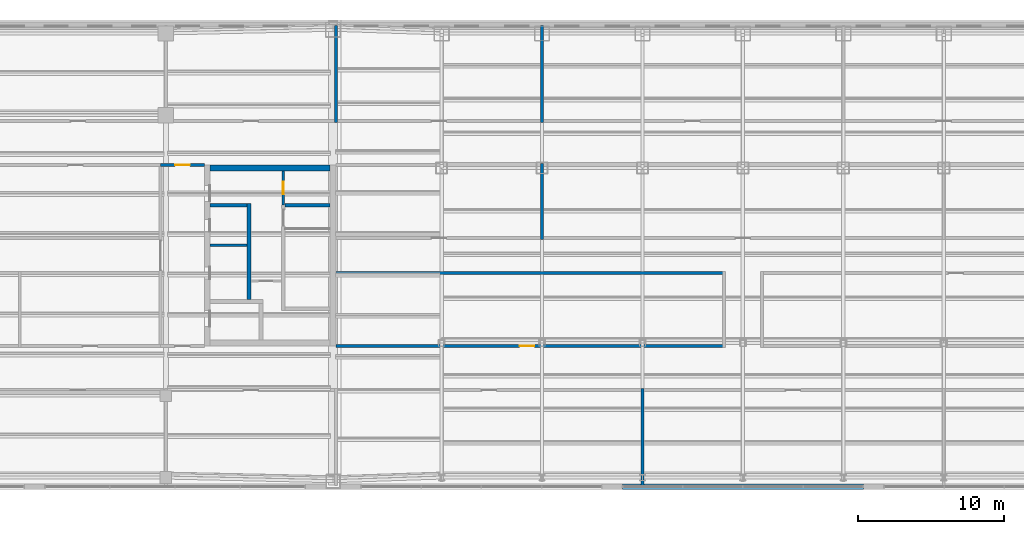
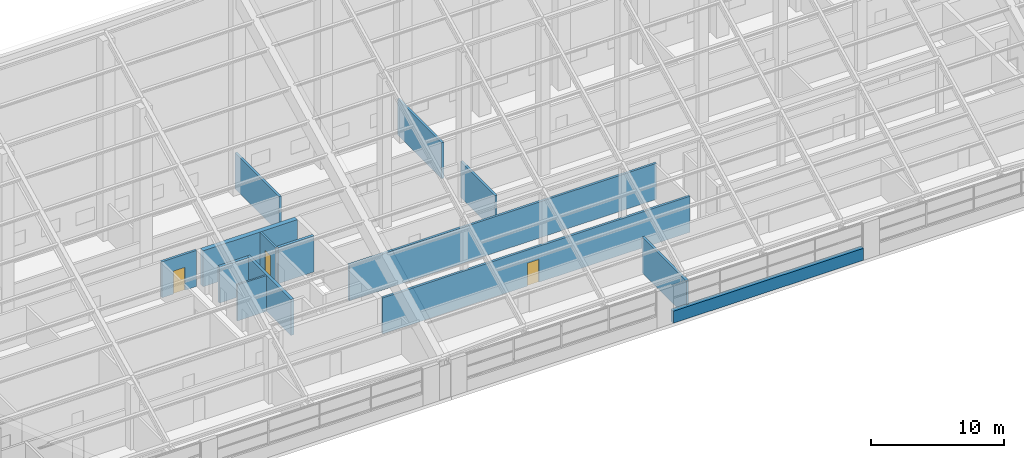
# One storey, part 21 of 28: 14 walls, 3 doors, 3 openings.
"""IFC4 building model written with IfcOpenShell, lengths in metres."""

from ifc_helpers import new_model, si_unit, direction, frame, frame_2d, origin, place, context, subcontext, project, spatial, rectangle, extrude, material, layer, layer_set, type_object, element, fill, save


model = new_model("IFC4")

# Units and contexts
model_context = context("Model", 3, precision=1e-05, world=origin(), true_north=direction((0.0, 1.0)))
body_context = subcontext(model_context, "Body", "Model", "MODEL_VIEW")
ifc_project = project(units=[si_unit("LENGTHUNIT", "METRE"), si_unit("AREAUNIT", "SQUARE_METRE"), si_unit("VOLUMEUNIT", "CUBIC_METRE"), si_unit("PLANEANGLEUNIT", "RADIAN"), si_unit("MASSUNIT", "GRAM", prefix="KILO")], contexts=[model_context])

# Site, building, storey
site_placement = place(None, origin())
site = spatial("IfcSite", under=ifc_project, at=site_placement, CompositionType="ELEMENT")
building_placement = place(site_placement, origin())
building = spatial("IfcBuilding", under=site, at=building_placement, Name="Tuart Gate Housing", CompositionType="ELEMENT")
storey_placement = place(building_placement, frame((0.0, 0.0, 243.89990234375)))
storey = spatial("IfcBuildingStorey", under=building, at=storey_placement, Name="L68", CompositionType="ELEMENT", Elevation=243.89990234375)

# Walls
ifc_material_1 = material(Name="Brick", Category="masonry")
ifc_layer_1 = layer(ifc_material_1, 0.360107421875)
ifc_layer_set_1 = layer_set([ifc_layer_1], Name="Brick pier and spandrel wall 360")
wall_type_1 = type_object("IfcWallType", Name="Brick pier and spandrel wall 360", PredefinedType="STANDARD", material=ifc_layer_set_1)
wall_1_placement = place(storey_placement, frame((95.25, 54.179931640625, 0.0), z_axis=(0.0, 0.0, 1.0), x_axis=(1.0, 0.0, 0.0)))
element("IfcWall", 1, at=wall_1_placement, inside=storey, type_object=wall_type_1, Name="Crown sill wall 2", PredefinedType="STANDARD", context=body_context, shape_type="SweptSolid", body=[
    extrude(rectangle(XDim=16.5, YDim=0.360107421875, at=frame_2d((8.25, 0.0))), origin(), (0.0, 0.0, 1.0), 1.10009765625),
])
ifc_material_2 = material(Name="Plasterboard partition")
ifc_layer_2 = layer(ifc_material_2, 0.14990234375)
ifc_layer_set_2 = layer_set([ifc_layer_2], Name="Core partition 150")
wall_type_2 = type_object("IfcWallType", Name="Core partition 150", PredefinedType="PARTITIONING", material=ifc_layer_set_2)
wall_2_placement = place(storey_placement, frame((67.0400390625, 70.699951171875, 0.0), z_axis=(0.0, 0.0, 1.0), x_axis=(1.0, 0.0, 0.0)))
element("IfcWall", 2, at=wall_2_placement, inside=storey, type_object=wall_type_2, Name="Core partition AG.4", PredefinedType="PARTITIONING", context=body_context, shape_type="SweptSolid", body=[
    extrude(rectangle(XDim=2.52490234375, YDim=0.14990234375, at=frame_2d((1.262451171875, 0.0))), origin(), (0.0, 0.0, 1.0), 3.300048828125),
])

# Wall, opening, door
wall_3_placement = place(storey_placement, frame((72.0400390625, 73.449951171875, 0.0), z_axis=(0.0, 0.0, 1.0), x_axis=(0.0, 1.0, 0.0)))
wall_3 = element("IfcWall", 3, at=wall_3_placement, inside=storey, type_object=wall_type_2, Name="Core partition AG.10", PredefinedType="PARTITIONING", context=body_context, shape_type="SweptSolid", body=[
    extrude(rectangle(XDim=2.35009765625, YDim=0.14990234375, at=frame_2d((1.175048828125, 0.0))), origin(), (0.0, 0.0, 1.0), 3.300048828125),
])
opening_1_placement = place(wall_3_placement, frame((0.75, 0.0, 0.0)))
opening_1 = element("IfcOpeningElement", 4, at=opening_1_placement, cuts=wall_3, Name="Opening D3249", PredefinedType="OPENING", context=body_context, shape_type="SweptSolid", body=[
    extrude(rectangle(XDim=0.85009765625, YDim=2.10009765625, at=frame_2d((0.425048828125, 1.050048828125))), frame((0.0, 0.0849609375, 0.0), z_axis=(0.0, -1.0, 0.0), x_axis=(1.0, 0.0, 0.0)), (0.0, 0.0, 1.0), 0.169921875),
])
ifc_material_3 = material(Name="Steel fire door", Category="steel")
door_type_1 = type_object("IfcDoorType", Name="Service door 850 x 2100 RH", OperationType="SINGLE_SWING_RIGHT", PredefinedType="DOOR", material=ifc_material_3)
door_1_placement = place(opening_1_placement, frame((0.85009765625, 0.0, 0.0), z_axis=(0.0, 0.0, 1.0), x_axis=(-1.0, 0.0, 0.0)))
door_1 = element("IfcDoor", 5, at=door_1_placement, inside=storey, type_object=door_type_1, Name="Service room door AG.ST", OperationType="SINGLE_SWING_RIGHT", OverallHeight=2.10009765625, OverallWidth=0.85009765625, PredefinedType="DOOR", context=body_context, shape_type="SweptSolid", body=[
    extrude(rectangle(XDim=0.85009765625, YDim=2.10009765625, at=frame_2d((0.425048828125, 1.050048828125))), frame((0.0, 0.025146484375, 0.0), z_axis=(0.0, -1.0, 0.0), x_axis=(1.0, 0.0, 0.0)), (0.0, 0.0, 1.0), 0.050048828125),
])
fill(opening_1, door_1)

# Walls
ifc_material_4 = material(Name="Concrete C40", Category="concrete")
ifc_layer_3 = layer(ifc_material_4, 0.25)
ifc_layer_set_3 = layer_set([ifc_layer_3], Name="Core wall 250 C40")
wall_type_3 = type_object("IfcWallType", Name="Core wall 250 C40", PredefinedType="SHEAR", material=ifc_layer_set_3)
wall_4_placement = place(storey_placement, frame((67.0400390625, 73.449951171875, 0.0), z_axis=(0.0, 0.0, 1.0), x_axis=(1.0, 0.0, 0.0)))
element("IfcWall", 6, at=wall_4_placement, inside=storey, type_object=wall_type_3, Name="Core wall AG.5", PredefinedType="SHEAR", context=body_context, shape_type="SweptSolid", body=[
    extrude(rectangle(XDim=2.52490234375, YDim=0.25, at=frame_2d((1.262451171875, 0.0))), origin(), (0.0, 0.0, 1.0), 3.300048828125),
])
wall_5_placement = place(storey_placement, frame((72.1650390625, 73.449951171875, 0.0), z_axis=(0.0, 0.0, 1.0), x_axis=(1.0, 0.0, 0.0)))
element("IfcWall", 7, at=wall_5_placement, inside=storey, type_object=wall_type_3, Name="Core wall AG.6", PredefinedType="SHEAR", context=body_context, shape_type="SweptSolid", body=[
    extrude(rectangle(XDim=3.074951171875, YDim=0.25, at=frame_2d((1.53759765625, 0.0))), origin(), (0.0, 0.0, 1.0), 3.300048828125),
])
wall_6_placement = place(storey_placement, frame((69.68994140625, 66.97509765625, 0.0), z_axis=(0.0, 0.0, 1.0), x_axis=(0.0, 1.0, 0.0)))
element("IfcWall", 8, at=wall_6_placement, inside=storey, type_object=wall_type_3, Name="Core wall AG.7", PredefinedType="SHEAR", context=body_context, shape_type="SweptSolid", body=[
    extrude(rectangle(XDim=6.599853515625, YDim=0.25, at=frame_2d((3.2998046875, 0.0))), origin(), (0.0, 0.0, 1.0), 3.300048828125),
])
ifc_material_5 = material(Name="Concrete C40", Category="concrete")
ifc_layer_4 = layer(ifc_material_5, 0.39990234375)
ifc_layer_set_4 = layer_set([ifc_layer_4], Name="Core wall 400 C40")
wall_type_4 = type_object("IfcWallType", Name="Core wall 400 C40", PredefinedType="SHEAR", material=ifc_layer_set_4)
wall_7_placement = place(storey_placement, frame((67.0400390625, 76.0, 0.0), z_axis=(0.0, 0.0, 1.0), x_axis=(1.0, 0.0, 0.0)))
element("IfcWall", 9, at=wall_7_placement, inside=storey, type_object=wall_type_4, Name="Core wall AG north", PredefinedType="SHEAR", context=body_context, shape_type="SweptSolid", body=[
    extrude(rectangle(XDim=8.199951171875, YDim=0.39990234375, at=frame_2d((4.10009765625, 0.0))), origin(), (0.0, 0.0, 1.0), 3.300048828125),
])

# Wall, opening, door
ifc_material_6 = material(Name="Concrete masonry 15 MPa", Category="masonry")
ifc_layer_5 = layer(ifc_material_6, 0.199951171875)
ifc_layer_set_5 = layer_set([ifc_layer_5], Name="Enclosure wall masonry 200")
wall_type_5 = type_object("IfcWallType", Name="Enclosure wall masonry 200", PredefinedType="PARTITIONING", material=ifc_layer_set_5)
wall_8_placement = place(storey_placement, frame((75.639892578125, 63.800048828125, 0.0), z_axis=(0.0, 0.0, 1.0), x_axis=(1.0, 0.0, 0.0)))
wall_8 = element("IfcWall", 10, at=wall_8_placement, inside=storey, type_object=wall_type_5, Name="Enclosure wall masonry 200", PredefinedType="PARTITIONING", context=body_context, shape_type="SweptSolid", body=[
    extrude(rectangle(XDim=26.66015625, YDim=0.199951171875, at=frame_2d((13.330078125, 0.0))), origin(), (0.0, 0.0, 1.0), 3.300048828125),
])
opening_2_placement = place(wall_8_placement, frame((12.580078125, 0.0, 0.0)))
opening_2 = element("IfcOpeningElement", 11, at=opening_2_placement, cuts=wall_8, Name="Opening D3279", PredefinedType="OPENING", context=body_context, shape_type="SweptSolid", body=[
    extrude(rectangle(XDim=1.0, YDim=2.10009765625, at=frame_2d((0.5, 1.050048828125))), frame((0.0, 0.10986328125, 0.0), z_axis=(0.0, -1.0, 0.0), x_axis=(1.0, 0.0, 0.0)), (0.0, 0.0, 1.0), 0.219970703125),
])
ifc_material_7 = material(Name="Timber door leaf in steel frame", Category="steel")
door_type_2 = type_object("IfcDoorType", Name="Fire door 1000", OperationType="SINGLE_SWING_LEFT", PredefinedType="DOOR", material=ifc_material_7)
door_2_placement = place(opening_2_placement, origin())
door_2 = element("IfcDoor", 12, at=door_2_placement, inside=storey, type_object=door_type_2, Name="Fire door 1000", OperationType="SINGLE_SWING_LEFT", OverallHeight=2.10009765625, OverallWidth=1.0, PredefinedType="DOOR", context=body_context, shape_type="SweptSolid", body=[
    extrude(rectangle(XDim=1.0, YDim=2.10009765625, at=frame_2d((0.5, 1.050048828125))), frame((0.0, 0.02490234375, 0.0), z_axis=(0.0, -1.0, 0.0), x_axis=(1.0, 0.0, 0.0)), (0.0, 0.0, 1.0), 0.050048828125),
])
fill(opening_2, door_2)

# Wall
wall_9_placement = place(storey_placement, frame((75.639892578125, 68.800048828125, 0.0), z_axis=(0.0, 0.0, 1.0), x_axis=(1.0, 0.0, 0.0)))
element("IfcWall", 13, at=wall_9_placement, inside=storey, type_object=wall_type_5, Name="Enclosure wall masonry 200", PredefinedType="PARTITIONING", context=body_context, shape_type="SweptSolid", body=[
    extrude(rectangle(XDim=26.66015625, YDim=0.199951171875, at=frame_2d((13.330078125, 0.0))), origin(), (0.0, 0.0, 1.0), 3.300048828125),
])

# Wall, opening, door
wall_10_placement = place(storey_placement, frame((63.639892578125, 76.199951171875, 0.0), z_axis=(0.0, 0.0, 1.0), x_axis=(1.0, 0.0, 0.0)))
wall_10 = element("IfcWall", 14, at=wall_10_placement, inside=storey, type_object=wall_type_5, Name="Enclosure wall masonry 200", PredefinedType="PARTITIONING", context=body_context, shape_type="SweptSolid", body=[
    extrude(rectangle(XDim=3.0, YDim=0.199951171875, at=frame_2d((1.5, 0.0))), origin(), (0.0, 0.0, 1.0), 3.300048828125),
])
opening_3_placement = place(wall_10_placement, frame((1.0, 0.0, 0.0)))
opening_3 = element("IfcOpeningElement", 15, at=opening_3_placement, cuts=wall_10, Name="Opening D3248", PredefinedType="OPENING", context=body_context, shape_type="SweptSolid", body=[
    extrude(rectangle(XDim=1.0, YDim=2.10009765625, at=frame_2d((0.5, 1.050048828125))), frame((0.0, 0.10986328125, 0.0), z_axis=(0.0, -1.0, 0.0), x_axis=(1.0, 0.0, 0.0)), (0.0, 0.0, 1.0), 0.219970703125),
])
ifc_material_8 = material(Name="Timber door leaf in steel frame", Category="steel")
door_type_3 = type_object("IfcDoorType", Name="Lobby door 1000 RH", OperationType="SINGLE_SWING_RIGHT", PredefinedType="DOOR", material=ifc_material_8)
door_3_placement = place(opening_3_placement, frame((1.0, 0.0, 0.0), z_axis=(0.0, 0.0, 1.0), x_axis=(-1.0, 0.0, 0.0)))
door_3 = element("IfcDoor", 16, at=door_3_placement, inside=storey, type_object=door_type_3, Name="Lobby door 1000", OperationType="SINGLE_SWING_RIGHT", OverallHeight=2.10009765625, OverallWidth=1.0, PredefinedType="DOOR", context=body_context, shape_type="SweptSolid", body=[
    extrude(rectangle(XDim=1.0, YDim=2.10009765625, at=frame_2d((0.5, 1.050048828125))), frame((0.0, 0.025146484375, 0.0), z_axis=(0.0, -1.0, 0.0), x_axis=(1.0, 0.0, 0.0)), (0.0, 0.0, 1.0), 0.050048828125),
])
fill(opening_3, door_3)

# Walls
wall_11_placement = place(storey_placement, frame((75.639892578125, 79.10009765625, 0.0), z_axis=(0.0, 0.0, 1.0), x_axis=(0.0, 1.0, 0.0)))
element("IfcWall", 17, at=wall_11_placement, inside=storey, type_object=wall_type_5, Name="Enclosure wall masonry 200", PredefinedType="PARTITIONING", context=body_context, shape_type="SweptSolid", body=[
    extrude(rectangle(XDim=6.659912109375, YDim=0.199951171875, at=frame_2d((3.330078125, 0.0))), origin(), (0.0, 0.0, 1.0), 3.300048828125),
])
wall_12_placement = place(storey_placement, frame((89.75, 71.10009765625, 0.0), z_axis=(0.0, 0.0, 1.0), x_axis=(0.0, 1.0, 0.0)))
element("IfcWall", 18, at=wall_12_placement, inside=storey, type_object=wall_type_5, Name="Enclosure wall masonry 200", PredefinedType="PARTITIONING", context=body_context, shape_type="SweptSolid", body=[
    extrude(rectangle(XDim=5.199951171875, YDim=0.199951171875, at=frame_2d((2.60009765625, 0.0))), origin(), (0.0, 0.0, 1.0), 3.300048828125),
])
for number, where, z_axis, x_axis, name in (
    (19, (89.75, 79.10009765625, 0.0), (0.0, 0.0, 1.0), (0.0, 1.0, 0.0), "Enclosure wall masonry 200"),
    (20, (96.625, 54.239990234375, 0.0), (0.0, 0.0, 1.0), (0.0, 1.0, 0.0), "Enclosure wall masonry 200"),
):
    element("IfcWall", number, at=place(storey_placement, frame(where, z_axis=z_axis, x_axis=x_axis)), inside=storey, type_object=wall_type_5, Name=name, PredefinedType="PARTITIONING", context=body_context, shape_type="SweptSolid", body=[
        extrude(rectangle(XDim=6.659912109375, YDim=0.199951171875, at=frame_2d((3.330078125, 0.0))), origin(), (0.0, 0.0, 1.0), 3.300048828125),
    ])

save(model, "model.ifc")
